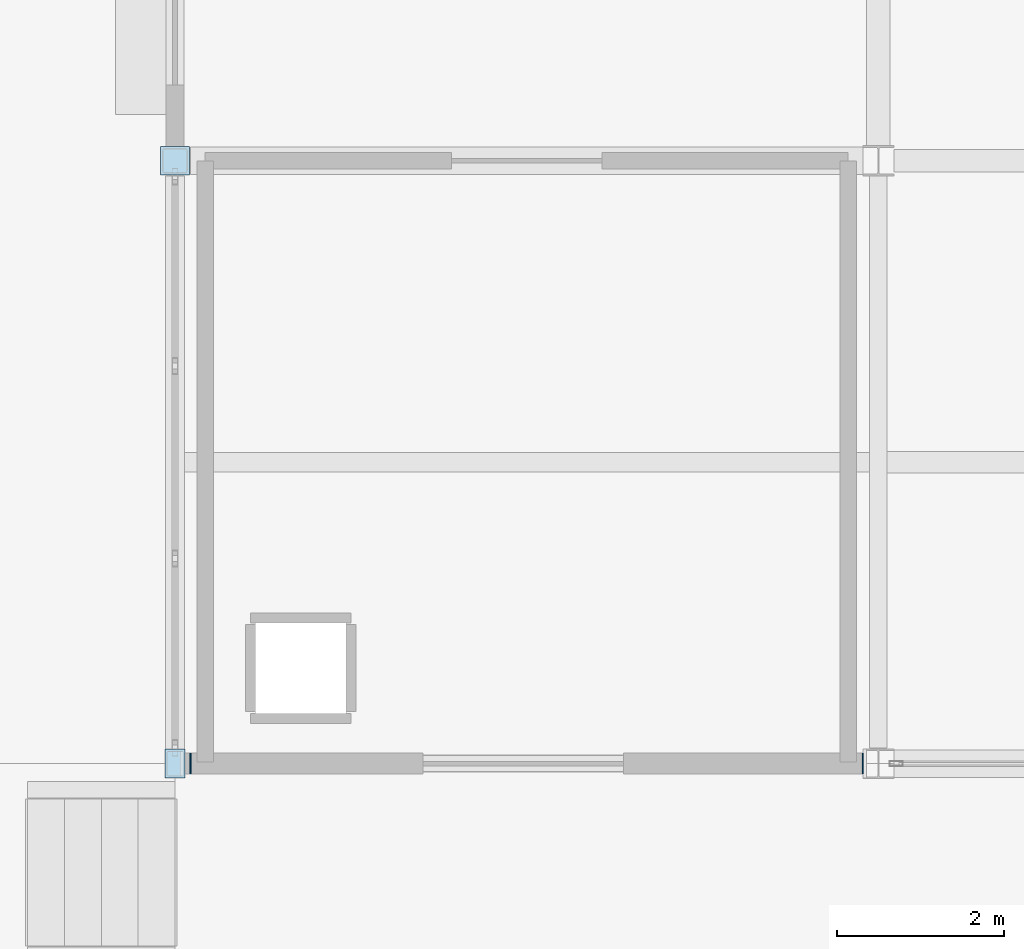
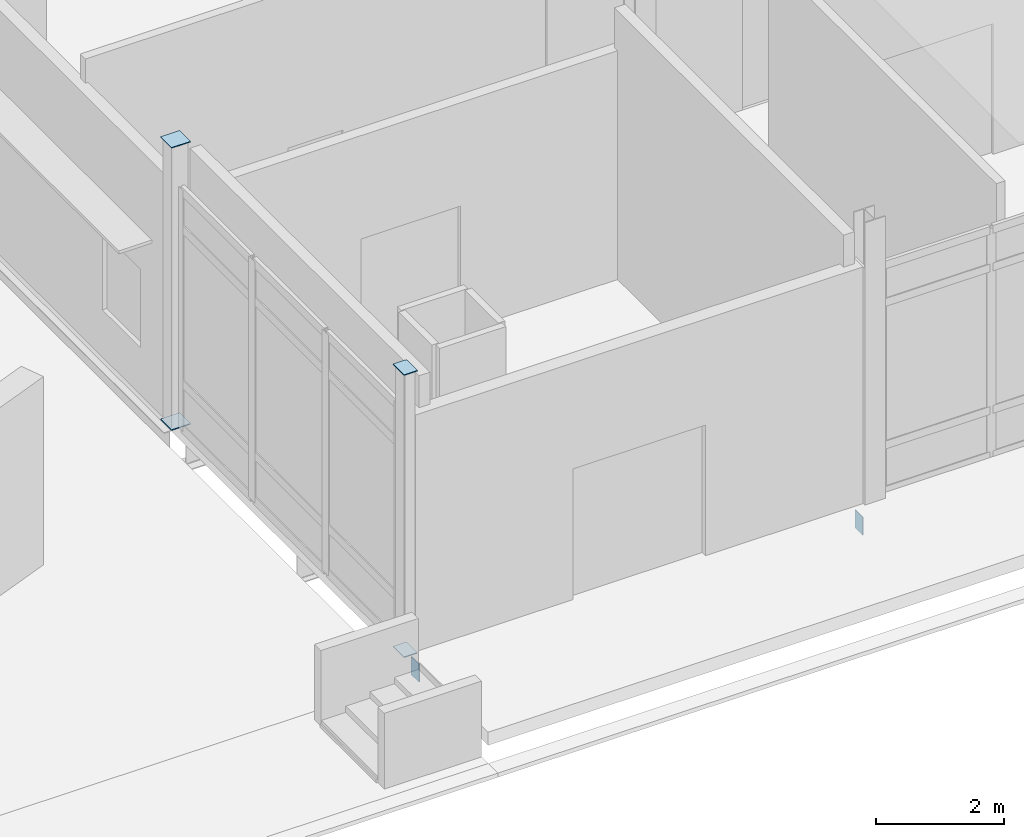
# One storey, part 163 of 229: 6 plates.
"""IFC4 building model written with IfcOpenShell, lengths in metres."""

from ifc_helpers import new_model, si_unit, direction, frame, origin, origin_2d, place, context, subcontext, project, spatial, rectangle, extrude, material, layer, layer_set, type_object, element, save


model = new_model("IFC4")

# Units and contexts
model_context = context("Model", 3, precision=1e-05, world=origin(), true_north=direction((0.0, 1.0)))
body_context = subcontext(model_context, "Body", "Model", "MODEL_VIEW")
ifc_project = project(units=[si_unit("LENGTHUNIT", "METRE"), si_unit("AREAUNIT", "SQUARE_METRE"), si_unit("VOLUMEUNIT", "CUBIC_METRE"), si_unit("PLANEANGLEUNIT", "RADIAN"), si_unit("MASSUNIT", "GRAM", prefix="KILO")], contexts=[model_context])

# Site, building, storey
site_placement = place(None, origin())
site = spatial("IfcSite", under=ifc_project, at=site_placement, CompositionType="ELEMENT")
building_placement = place(site_placement, origin())
building = spatial("IfcBuilding", under=site, at=building_placement, Name="Calvrana Isthmian Art Gallery", CompositionType="ELEMENT")
storey_placement = place(building_placement, origin())
storey = spatial("IfcBuildingStorey", under=building, at=storey_placement, Name="L00", CompositionType="ELEMENT", Elevation=0.0)

# Plates
ifc_material = material(Name="Steel ASTM A572 Gr 50", Category="steel")
ifc_layer = layer(ifc_material, 0.01611328125, Name="Steel ASTM A572 Gr 50")
ifc_layer_set = layer_set([ifc_layer], Name="Steel ASTM A572 Gr 50")
plate_type = type_object("IfcPlateType", Name="PL-CAP-16", PredefinedType="SHEET", material=ifc_layer_set)
for number, where, z_axis, x_axis, name in (
    (1, (63.60009765625, 0.0, -0.008056640625), (0.0, 0.0, 1.0), (1.0, 0.0, 0.0), "Hollow section end cap plate 125"),
    (2, (63.60009765625, 0.0, 5.391845703125), (0.0, 0.0, 1.0), (1.0, 0.0, 0.0), "Hollow section end cap plate 126"),
):
    element("IfcPlate", number, at=place(storey_placement, frame(where, z_axis=z_axis, x_axis=x_axis)), inside=storey, type_object=plate_type, Name=name, PredefinedType="SHEET", context=body_context, shape_type="SweptSolid", body=[
        extrude(rectangle(XDim=0.2431640625, YDim=0.3447265625, at=origin_2d()), origin(), (0.0, 0.0, 1.0), 0.01611328125),
    ])
for number, where, z_axis, x_axis, name in (
    (3, (63.60009765625, 7.199951171875, -0.008056640625), (0.0, 0.0, 1.0), (1.0, 0.0, 0.0), "Hollow section end cap plate 127"),
    (4, (63.60009765625, 7.199951171875, 5.391845703125), (0.0, 0.0, 1.0), (1.0, 0.0, 0.0), "Hollow section end cap plate 128"),
):
    element("IfcPlate", number, at=place(storey_placement, frame(where, z_axis=z_axis, x_axis=x_axis)), inside=storey, type_object=plate_type, Name=name, PredefinedType="SHEET", context=body_context, shape_type="SweptSolid", body=[
        extrude(rectangle(XDim=0.3447265625, YDim=0.3447265625, at=origin_2d()), origin(), (0.0, 0.0, 1.0), 0.01611328125),
    ])
for number, where, z_axis, x_axis, name in (
    (5, (63.783935546875, 0.0, -0.60986328125), (0.0, 0.0, 1.0), (1.0, 0.0, 0.0), "Hollow section end cap plate 369"),
    (6, (71.8134765625, 0.0, -0.60986328125), (0.0, 0.0, 1.0), (1.0, 0.0, 0.0), "Hollow section end cap plate 370"),
):
    element("IfcPlate", number, at=place(storey_placement, frame(where, z_axis=z_axis, x_axis=x_axis)), inside=storey, type_object=plate_type, Name=name, PredefinedType="SHEET", context=body_context, shape_type="SweptSolid", body=[
        extrude(rectangle(XDim=0.01611328125, YDim=0.2431640625, at=origin_2d()), origin(), (0.0, 0.0, 1.0), 0.3447265625),
    ])

save(model, "model.ifc")
